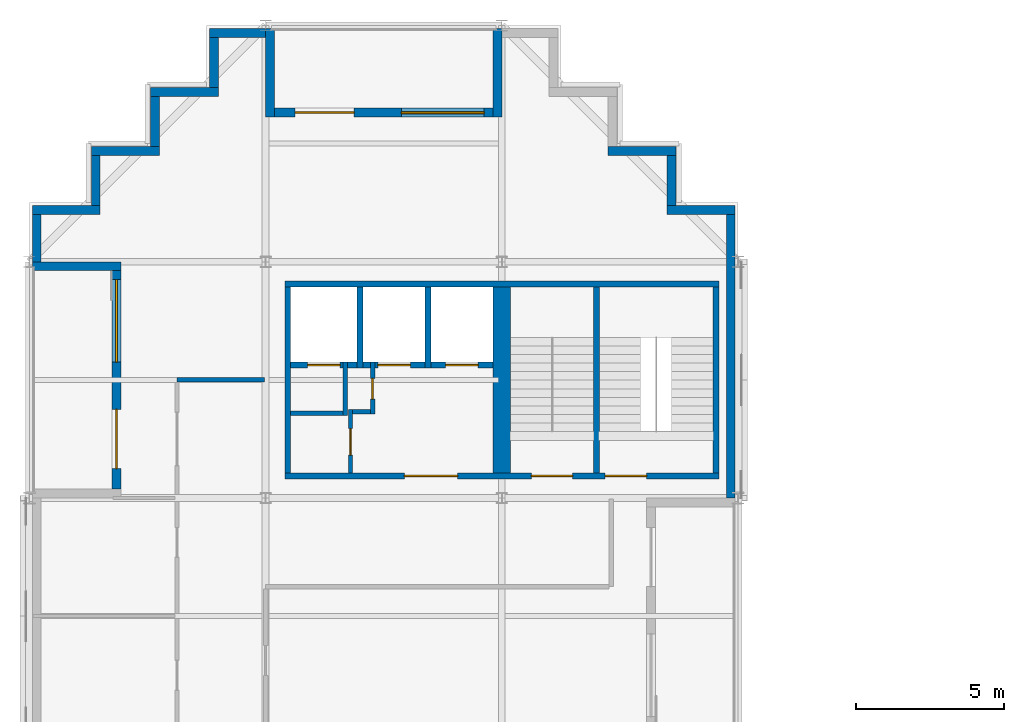
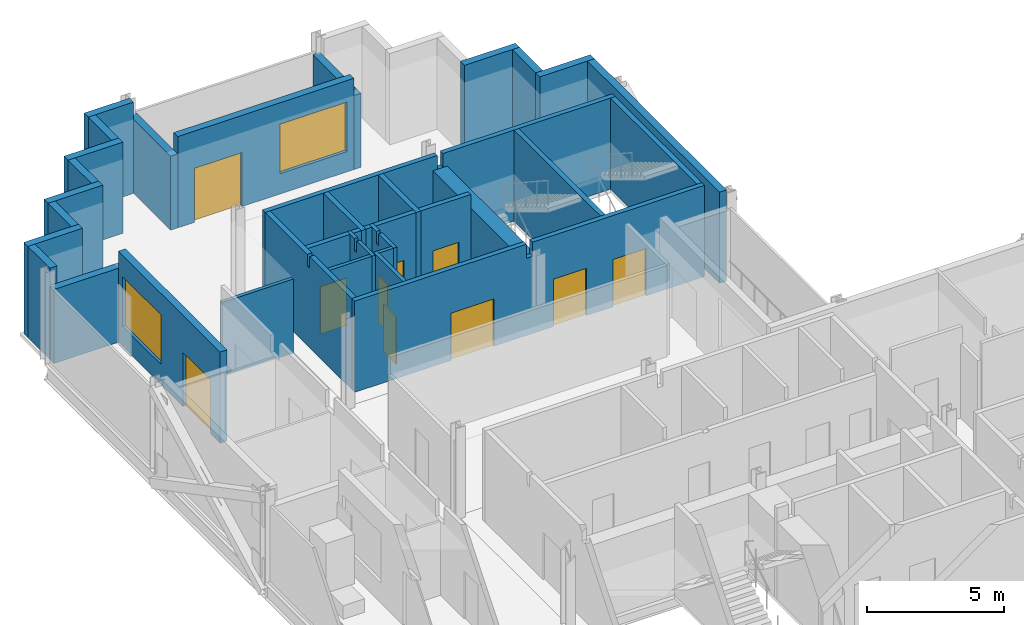
# One storey, part 8 of 12: 36 walls, 10 doors, 2 windows, 12 openings.
"""IFC4 building model written with IfcOpenShell, lengths in metres."""

from ifc_helpers import new_model, si_unit, direction, frame, frame_2d, origin, place, context, subcontext, project, spatial, polyline, rectangle, outline, extrude, material, layer, layer_set, type_object, element, fill, save


model = new_model("IFC4")

# Units and contexts
model_context = context("Model", 3, precision=1e-05, world=origin(), true_north=direction((0.0, 1.0)))
body_context = subcontext(model_context, "Body", "Model", "MODEL_VIEW")
ifc_project = project(units=[si_unit("LENGTHUNIT", "METRE"), si_unit("AREAUNIT", "SQUARE_METRE"), si_unit("VOLUMEUNIT", "CUBIC_METRE"), si_unit("PLANEANGLEUNIT", "RADIAN"), si_unit("MASSUNIT", "GRAM", prefix="KILO")], contexts=[model_context])

# Site, building, storey
site_placement = place(None, origin())
site = spatial("IfcSite", under=ifc_project, at=site_placement, CompositionType="ELEMENT")
building_placement = place(site_placement, origin())
building = spatial("IfcBuilding", under=site, at=building_placement, Name="Immortelle Media Tower", CompositionType="ELEMENT")
storey_placement = place(building_placement, frame((0.0, 0.0, 136.800048828125)))
storey = spatial("IfcBuildingStorey", under=building, at=storey_placement, Name="L27", CompositionType="ELEMENT", Elevation=136.800048828125)

# Walls
ifc_material_1 = material(Name="Fire-rated gypsum board", Category="gypsum")
ifc_layer_1 = layer(ifc_material_1, 0.02490234375)
ifc_material_2 = material(Name="Steel ASTM A653 SS Gr 50 stud frame with mineral wool", Category="steel")
ifc_layer_2 = layer(ifc_material_2, 0.10009765625)
ifc_layer_3 = layer(ifc_material_1, 0.02490234375)
ifc_layer_set_1 = layer_set([ifc_layer_1, ifc_layer_2, ifc_layer_3], Name="Steel ASTM A653 SS Gr 50 stud frame with mineral wool")
wall_type_1 = type_object("IfcWallType", Name="Core partition 150", PredefinedType="PARTITIONING", material=ifc_layer_set_1)
wall_1_placement = place(storey_placement, frame((8.85009765625, 34.875, 0.0), z_axis=(0.0, 0.0, 1.0), x_axis=(1.0, 0.0, 0.0)))
element("IfcWall", 1, at=wall_1_placement, inside=storey, type_object=wall_type_1, Name="Core partition NW", PredefinedType="PARTITIONING", context=body_context, shape_type="SweptSolid", body=[
    extrude(rectangle(XDim=1.77490234375, YDim=0.14990234375, at=frame_2d((0.887451171875, 0.0))), origin(), (0.0, 0.0, 1.0), 4.050048828125),
])
wall_2_placement = place(storey_placement, frame((10.699951171875, 34.800048828125, 0.0), z_axis=(0.0, 0.0, 1.0), x_axis=(0.0, 1.0, 0.0)))
element("IfcWall", 2, at=wall_2_placement, inside=storey, type_object=wall_type_1, Name="Core partition NW", PredefinedType="PARTITIONING", context=body_context, shape_type="SweptSolid", body=[
    extrude(outline(polyline([(0.0, 0.0), (1.800048828125, 0.0), (1.800048828125, 4.050048828125), (1.28759765625, 4.050048828125), (1.28662109375, 3.51806640625), (1.113525390625, 3.51806640625), (1.112548828125, 4.050048828125), (0.0, 4.050048828125), (0.0, 0.0)])), frame((0.0, 0.074951171875, 0.0), z_axis=(0.0, -1.0, 0.0), x_axis=(1.0, 0.0, 0.0)), (0.0, 0.0, 1.0), 0.14990234375),
])

# Wall, opening, door
wall_3_placement = place(storey_placement, frame((10.875, 32.85009765625, 0.0), z_axis=(0.0, 0.0, 1.0), x_axis=(0.0, 1.0, 0.0)))
wall_3 = element("IfcWall", 3, at=wall_3_placement, inside=storey, type_object=wall_type_1, Name="Core partition NW", PredefinedType="PARTITIONING", context=body_context, shape_type="SweptSolid", body=[
    extrude(rectangle(XDim=2.14990234375, YDim=0.14990234375, at=frame_2d((1.074951171875, 0.0))), origin(), (0.0, 0.0, 1.0), 4.050048828125),
])
opening_1_placement = place(wall_3_placement, frame((0.60009765625, 0.0, 0.0)))
opening_1 = element("IfcOpeningElement", 4, at=opening_1_placement, cuts=wall_3, Name="Opening C2-K023", PredefinedType="OPENING", context=body_context, shape_type="SweptSolid", body=[
    extrude(rectangle(XDim=0.89990234375, YDim=2.10009765625, at=frame_2d((0.449951171875, 1.050048828125))), frame((0.0, 0.0849609375, 0.0), z_axis=(0.0, -1.0, 0.0), x_axis=(1.0, 0.0, 0.0)), (0.0, 0.0, 1.0), 0.169921875),
])
ifc_material_3 = material(Name="Galvanised steel door leaf and frame ASTM A653", Category="steel")
door_type_1 = type_object("IfcDoorType", Name="Service door 900 x 2100", OperationType="NOTDEFINED", PredefinedType="NOTDEFINED", material=ifc_material_3)
door_1_placement = place(opening_1_placement, origin())
door_1 = element("IfcDoor", 5, at=door_1_placement, inside=storey, type_object=door_type_1, Name="Service C2-K023", OperationType="SINGLE_SWING_RIGHT", OverallHeight=2.10009765625, OverallWidth=0.89990234375, PredefinedType="NOTDEFINED", context=body_context, shape_type="SweptSolid", body=[
    extrude(rectangle(XDim=0.89990234375, YDim=2.10009765625, at=frame_2d((0.449951171875, 1.050048828125))), frame((0.0, 0.02490234375, 0.0), z_axis=(0.0, -1.0, 0.0), x_axis=(1.0, 0.0, 0.0)), (0.0, 0.0, 1.0), 0.050048828125),
])
fill(opening_1, door_1)

# Wall
wall_4_placement = place(storey_placement, frame((10.949951171875, 34.925048828125, 0.0), z_axis=(0.0, 0.0, 1.0), x_axis=(1.0, 0.0, 0.0)))
element("IfcWall", 6, at=wall_4_placement, inside=storey, type_object=wall_type_1, Name="Core partition NW", PredefinedType="PARTITIONING", context=body_context, shape_type="SweptSolid", body=[
    extrude(rectangle(XDim=0.60009765625, YDim=0.14990234375, at=frame_2d((0.300048828125, 0.0))), origin(), (0.0, 0.0, 1.0), 4.050048828125),
])

# Wall, opening, door
wall_5_placement = place(storey_placement, frame((11.625, 34.85009765625, 0.0), z_axis=(0.0, 0.0, 1.0), x_axis=(0.0, 1.0, 0.0)))
wall_5 = element("IfcWall", 7, at=wall_5_placement, inside=storey, type_object=wall_type_1, Name="Core partition NW", PredefinedType="PARTITIONING", context=body_context, shape_type="SweptSolid", body=[
    extrude(outline(polyline([(0.0, 0.0), (1.75, 0.0), (1.75, 4.050048828125), (1.237548828125, 4.050048828125), (1.236572265625, 3.51806640625), (1.0634765625, 3.51806640625), (1.0625, 4.050048828125), (0.0, 4.050048828125), (0.0, 0.0)])), frame((0.0, 0.074951171875, 0.0), z_axis=(0.0, -1.0, 0.0), x_axis=(1.0, 0.0, 0.0)), (0.0, 0.0, 1.0), 0.14990234375),
])
opening_2_placement = place(wall_5_placement, frame((0.5, 0.0, 0.0)))
opening_2 = element("IfcOpeningElement", 8, at=opening_2_placement, cuts=wall_5, Name="Opening C2-K024", PredefinedType="OPENING", context=body_context, shape_type="SweptSolid", body=[
    extrude(rectangle(XDim=0.699951171875, YDim=2.10009765625, at=frame_2d((0.35009765625, 1.050048828125))), frame((0.0, 0.0849609375, 0.0), z_axis=(0.0, -1.0, 0.0), x_axis=(1.0, 0.0, 0.0)), (0.0, 0.0, 1.0), 0.169921875),
])
door_type_2 = type_object("IfcDoorType", Name="Service door 700 x 2100", OperationType="NOTDEFINED", PredefinedType="NOTDEFINED", material=ifc_material_3)
door_2_placement = place(opening_2_placement, origin())
door_2 = element("IfcDoor", 9, at=door_2_placement, inside=storey, type_object=door_type_2, Name="Service C2-K024", OperationType="SINGLE_SWING_RIGHT", OverallHeight=2.10009765625, OverallWidth=0.699951171875, PredefinedType="NOTDEFINED", context=body_context, shape_type="SweptSolid", body=[
    extrude(rectangle(XDim=0.699951171875, YDim=2.10009765625, at=frame_2d((0.35009765625, 1.050048828125))), frame((0.0, 0.02490234375, 0.0), z_axis=(0.0, -1.0, 0.0), x_axis=(1.0, 0.0, 0.0)), (0.0, 0.0, 1.0), 0.050048828125),
])
fill(opening_2, door_2)

# Wall
ifc_layer_4 = layer(ifc_material_1, 0.03759765625)
ifc_layer_5 = layer(ifc_material_2, 0.125)
ifc_layer_6 = layer(ifc_material_1, 0.03759765625)
ifc_layer_set_2 = layer_set([ifc_layer_4, ifc_layer_5, ifc_layer_6], Name="Steel ASTM A653 SS Gr 50 stud frame with mineral wool")
wall_type_2 = type_object("IfcWallType", Name="Core shaft wall 200", PredefinedType="PARTITIONING", material=ifc_layer_set_2)
wall_6_placement = place(storey_placement, frame((8.75, 32.85009765625, 0.0), z_axis=(0.0, 0.0, 1.0), x_axis=(0.0, 1.0, 0.0)))
element("IfcWall", 10, at=wall_6_placement, inside=storey, type_object=wall_type_2, Name="Core shaft wall NW", PredefinedType="PARTITIONING", context=body_context, shape_type="SweptSolid", body=[
    extrude(outline(polyline([(0.0, 0.0), (6.2998046875, 0.0), (6.300048828125, 4.050048828125), (3.237548828125, 4.050048828125), (3.236572265625, 3.51806640625), (3.0634765625, 3.51806640625), (3.0625, 4.050048828125), (0.0, 4.050048828125), (0.0, 0.0)])), frame((0.0, 0.10009765625, 0.0), z_axis=(0.0, -1.0, 0.0), x_axis=(1.0, 0.0, 0.0)), (0.0, 0.0, 1.0), 0.199951171875),
])

# Wall, opening, door
wall_7_placement = place(storey_placement, frame((8.85009765625, 36.5, 0.0), z_axis=(0.0, 0.0, 1.0), x_axis=(1.0, 0.0, 0.0)))
wall_7 = element("IfcWall", 11, at=wall_7_placement, inside=storey, type_object=wall_type_2, Name="Core shaft wall NW", PredefinedType="PARTITIONING", context=body_context, shape_type="SweptSolid", body=[
    extrude(rectangle(XDim=1.77490234375, YDim=0.199951171875, at=frame_2d((0.887451171875, 0.0))), origin(), (0.0, 0.0, 1.0), 4.050048828125),
])
opening_3_placement = place(wall_7_placement, frame((0.574951171875, 0.0, 0.0)))
opening_3 = element("IfcOpeningElement", 12, at=opening_3_placement, cuts=wall_7, Name="Opening LD", PredefinedType="OPENING", context=body_context, shape_type="SweptSolid", body=[
    extrude(rectangle(XDim=1.10009765625, YDim=2.10009765625, at=frame_2d((0.550048828125, 1.050048828125))), frame((0.0, 0.10986328125, 0.0), z_axis=(0.0, -1.0, 0.0), x_axis=(1.0, 0.0, 0.0)), (0.0, 0.0, 1.0), 0.219970703125),
])
ifc_material_4 = material(Name="Stainless steel AISI 304", Category="steel")
door_type_3 = type_object("IfcDoorType", Name="Landing door 1100 x 2100", OperationType="SLIDING_TO_LEFT", PredefinedType="NOTDEFINED", material=ifc_material_4)
door_3_placement = place(opening_3_placement, origin())
door_3 = element("IfcDoor", 13, at=door_3_placement, inside=storey, type_object=door_type_3, Name="Landing door MR1 L27", OperationType="SLIDING_TO_LEFT", OverallHeight=2.10009765625, OverallWidth=1.10009765625, PredefinedType="NOTDEFINED", context=body_context, shape_type="SweptSolid", body=[
    extrude(rectangle(XDim=1.10009765625, YDim=2.10009765625, at=frame_2d((0.550048828125, 1.050048828125))), frame((0.0, 0.02490234375, 0.0), z_axis=(0.0, -1.0, 0.0), x_axis=(1.0, 0.0, 0.0)), (0.0, 0.0, 1.0), 0.050048828125),
])
fill(opening_3, door_3)

# Walls
wall_8_placement = place(storey_placement, frame((10.77490234375, 36.5, 0.0), z_axis=(0.0, 0.0, 1.0), x_axis=(1.0, 0.0, 0.0)))
element("IfcWall", 14, at=wall_8_placement, inside=storey, type_object=wall_type_2, Name="Core shaft wall NW", PredefinedType="PARTITIONING", context=body_context, shape_type="SweptSolid", body=[
    extrude(rectangle(XDim=0.3251953125, YDim=0.199951171875, at=frame_2d((0.16259765625, 0.0))), origin(), (0.0, 0.0, 1.0), 4.050048828125),
])
wall_9_placement = place(storey_placement, frame((11.199951171875, 36.39990234375, 0.0), z_axis=(0.0, 0.0, 1.0), x_axis=(0.0, 1.0, 0.0)))
element("IfcWall", 15, at=wall_9_placement, inside=storey, type_object=wall_type_2, Name="Core shaft wall NW", PredefinedType="PARTITIONING", context=body_context, shape_type="SweptSolid", body=[
    extrude(rectangle(XDim=2.75, YDim=0.199951171875, at=frame_2d((1.375, 0.0))), origin(), (0.0, 0.0, 1.0), 4.050048828125),
])
wall_10_placement = place(storey_placement, frame((11.300048828125, 36.5, 0.0), z_axis=(0.0, 0.0, 1.0), x_axis=(1.0, 0.0, 0.0)))
element("IfcWall", 16, at=wall_10_placement, inside=storey, type_object=wall_type_2, Name="Core shaft wall NW", PredefinedType="PARTITIONING", context=body_context, shape_type="SweptSolid", body=[
    extrude(rectangle(XDim=0.25, YDim=0.199951171875, at=frame_2d((0.125, 0.0))), origin(), (0.0, 0.0, 1.0), 4.050048828125),
])

# Wall, opening, door
wall_11_placement = place(storey_placement, frame((11.699951171875, 36.5, 0.0), z_axis=(0.0, 0.0, 1.0), x_axis=(1.0, 0.0, 0.0)))
wall_11 = element("IfcWall", 17, at=wall_11_placement, inside=storey, type_object=wall_type_2, Name="Core shaft wall NW", PredefinedType="PARTITIONING", context=body_context, shape_type="SweptSolid", body=[
    extrude(rectangle(XDim=1.699951171875, YDim=0.199951171875, at=frame_2d((0.85009765625, 0.0))), origin(), (0.0, 0.0, 1.0), 4.050048828125),
])
opening_4_placement = place(wall_11_placement, frame((0.10009765625, 0.0, 0.0)))
opening_4 = element("IfcOpeningElement", 18, at=opening_4_placement, cuts=wall_11, Name="Opening LD", PredefinedType="OPENING", context=body_context, shape_type="SweptSolid", body=[
    extrude(rectangle(XDim=1.10009765625, YDim=2.10009765625, at=frame_2d((0.550048828125, 1.050048828125))), frame((0.0, 0.10986328125, 0.0), z_axis=(0.0, -1.0, 0.0), x_axis=(1.0, 0.0, 0.0)), (0.0, 0.0, 1.0), 0.219970703125),
])
door_4_placement = place(opening_4_placement, origin())
door_4 = element("IfcDoor", 19, at=door_4_placement, inside=storey, type_object=door_type_3, Name="Landing door MR2 L27", OperationType="SLIDING_TO_LEFT", OverallHeight=2.10009765625, OverallWidth=1.10009765625, PredefinedType="NOTDEFINED", context=body_context, shape_type="SweptSolid", body=[
    extrude(rectangle(XDim=1.10009765625, YDim=2.10009765625, at=frame_2d((0.550048828125, 1.050048828125))), frame((0.0, 0.02490234375, 0.0), z_axis=(0.0, -1.0, 0.0), x_axis=(1.0, 0.0, 0.0)), (0.0, 0.0, 1.0), 0.050048828125),
])
fill(opening_4, door_4)

# Wall
wall_12_placement = place(storey_placement, frame((13.5, 36.39990234375, 0.0), z_axis=(0.0, 0.0, 1.0), x_axis=(0.0, 1.0, 0.0)))
element("IfcWall", 20, at=wall_12_placement, inside=storey, type_object=wall_type_2, Name="Core shaft wall NW", PredefinedType="PARTITIONING", context=body_context, shape_type="SweptSolid", body=[
    extrude(rectangle(XDim=2.75, YDim=0.199951171875, at=frame_2d((1.375, 0.0))), origin(), (0.0, 0.0, 1.0), 4.050048828125),
])

# Wall, opening, door
wall_13_placement = place(storey_placement, frame((13.60009765625, 36.5, 0.0), z_axis=(0.0, 0.0, 1.0), x_axis=(1.0, 0.0, 0.0)))
wall_13 = element("IfcWall", 21, at=wall_13_placement, inside=storey, type_object=wall_type_2, Name="Core shaft wall NW", PredefinedType="PARTITIONING", context=body_context, shape_type="SweptSolid", body=[
    extrude(rectangle(XDim=2.099853515625, YDim=0.199951171875, at=frame_2d((1.0498046875, 0.0))), origin(), (0.0, 0.0, 1.0), 4.050048828125),
])
opening_5_placement = place(wall_13_placement, frame((0.5, 0.0, 0.0)))
opening_5 = element("IfcOpeningElement", 22, at=opening_5_placement, cuts=wall_13, Name="Opening LD", PredefinedType="OPENING", context=body_context, shape_type="SweptSolid", body=[
    extrude(rectangle(XDim=1.10009765625, YDim=2.10009765625, at=frame_2d((0.550048828125, 1.050048828125))), frame((0.0, 0.10986328125, 0.0), z_axis=(0.0, -1.0, 0.0), x_axis=(1.0, 0.0, 0.0)), (0.0, 0.0, 1.0), 0.219970703125),
])
door_5_placement = place(opening_5_placement, origin())
door_5 = element("IfcDoor", 23, at=door_5_placement, inside=storey, type_object=door_type_3, Name="Landing door MR3 L27", OperationType="SLIDING_TO_LEFT", OverallHeight=2.10009765625, OverallWidth=1.10009765625, PredefinedType="NOTDEFINED", context=body_context, shape_type="SweptSolid", body=[
    extrude(rectangle(XDim=1.10009765625, YDim=2.10009765625, at=frame_2d((0.550048828125, 1.050048828125))), frame((0.0, 0.02490234375, 0.0), z_axis=(0.0, -1.0, 0.0), x_axis=(1.0, 0.0, 0.0)), (0.0, 0.0, 1.0), 0.050048828125),
])
fill(opening_5, door_5)

# Walls
ifc_layer_7 = layer(ifc_material_1, 0.012451171875)
ifc_layer_8 = layer(ifc_material_2, 0.125)
ifc_layer_9 = layer(ifc_material_1, 0.012451171875)
ifc_layer_set_3 = layer_set([ifc_layer_7, ifc_layer_8, ifc_layer_9], Name="Steel ASTM A653 SS Gr 50 stud frame with mineral wool")
wall_type_3 = type_object("IfcWallType", Name="Corridor wall 150", PredefinedType="PARTITIONING", material=ifc_layer_set_3)
wall_14_placement = place(storey_placement, frame((5.0, 36.0, 0.0), z_axis=(0.0, 0.0, 1.0), x_axis=(1.0, 0.0, 0.0)))
element("IfcWall", 24, at=wall_14_placement, inside=storey, type_object=wall_type_3, Name="Partition L27-025", PredefinedType="PARTITIONING", context=body_context, shape_type="SweptSolid", body=[
    extrude(rectangle(XDim=2.969970703125, YDim=0.14990234375, at=frame_2d((1.48486328125, 0.0))), origin(), (0.0, 0.0, 1.0), 3.287841796875),
])
ifc_material_5 = material(Name="Pale aluminium cladding panel", Category="aluminium")
ifc_layer_10 = layer(ifc_material_5, 0.030029296875)
ifc_layer_11 = layer(ifc_material_2, 0.257568359375)
ifc_material_6 = material(Name="Moisture-resistant gypsum board", Category="gypsum")
ifc_layer_12 = layer(ifc_material_6, 0.012451171875)
ifc_layer_set_4 = layer_set([ifc_layer_10, ifc_layer_11, ifc_layer_12], Name="Steel ASTM A653 SS Gr 50 stud frame with mineral wool")
wall_type_4 = type_object("IfcWallType", Name="Facade wall 300", PredefinedType="SOLIDWALL", material=ifc_layer_set_4)
wall_15_placement = place(storey_placement, frame((23.75, 32.0, 0.0), z_axis=(0.0, 0.0, 1.0), x_axis=(0.0, 1.0, 0.0)))
element("IfcWall", 25, at=wall_15_placement, inside=storey, type_object=wall_type_4, Name="Facade wall L27 E21", PredefinedType="SOLIDWALL", context=body_context, shape_type="SweptSolid", body=[
    extrude(rectangle(XDim=9.60009765625, YDim=0.300048828125, at=frame_2d((4.800048828125, 0.0))), origin(), (0.0, 0.0, 1.0), 4.050048828125),
])
wall_16_placement = place(storey_placement, frame((23.89990234375, 41.75, 0.0), z_axis=(0.0, 0.0, 1.0), x_axis=(-1.0, 0.0, 0.0)))
element("IfcWall", 26, at=wall_16_placement, inside=storey, type_object=wall_type_4, Name="Facade wall L27 N22", PredefinedType="SOLIDWALL", context=body_context, shape_type="SweptSolid", body=[
    extrude(rectangle(XDim=2.2998046875, YDim=0.300048828125, at=frame_2d((1.14990234375, 0.0))), origin(), (0.0, 0.0, 1.0), 4.050048828125),
])
wall_17_placement = place(storey_placement, frame((21.75, 41.89990234375, 0.0), z_axis=(0.0, 0.0, 1.0), x_axis=(0.0, 1.0, 0.0)))
element("IfcWall", 27, at=wall_17_placement, inside=storey, type_object=wall_type_4, Name="Facade wall L27 E23", PredefinedType="SOLIDWALL", context=body_context, shape_type="SweptSolid", body=[
    extrude(rectangle(XDim=1.7001953125, YDim=0.300048828125, at=frame_2d((0.85009765625, 0.0))), origin(), (0.0, 0.0, 1.0), 4.050048828125),
])
wall_18_placement = place(storey_placement, frame((21.89990234375, 43.75, 0.0), z_axis=(0.0, 0.0, 1.0), x_axis=(-1.0, 0.0, 0.0)))
element("IfcWall", 28, at=wall_18_placement, inside=storey, type_object=wall_type_4, Name="Facade wall L27 N24", PredefinedType="SOLIDWALL", context=body_context, shape_type="SweptSolid", body=[
    extrude(rectangle(XDim=2.2998046875, YDim=0.300048828125, at=frame_2d((1.14990234375, 0.0))), origin(), (0.0, 0.0, 1.0), 4.050048828125),
])

# Wall, openings, door, window
wall_19_placement = place(storey_placement, frame((15.699951171875, 45.050048828125, 0.0), z_axis=(0.0, 0.0, 1.0), x_axis=(-1.0, 0.0, 0.0)))
wall_19 = element("IfcWall", 29, at=wall_19_placement, inside=storey, type_object=wall_type_4, Name="Loggia wall L27 N28", PredefinedType="SOLIDWALL", context=body_context, shape_type="SweptSolid", body=[
    extrude(rectangle(XDim=7.39990234375, YDim=0.300048828125, at=frame_2d((3.699951171875, 0.0))), origin(), (0.0, 0.0, 1.0), 4.050048828125),
])
opening_6_placement = place(wall_19_placement, frame((0.300048828125, 0.0, 0.89990234375)))
opening_6 = element("IfcOpeningElement", 30, at=opening_6_placement, cuts=wall_19, Name="Opening W1", PredefinedType="OPENING", context=body_context, shape_type="SweptSolid", body=[
    extrude(rectangle(XDim=2.800048828125, YDim=2.199951171875, at=frame_2d((1.39990234375, 1.10009765625))), frame((0.0, 0.159912109375, 0.0), z_axis=(0.0, -1.0, 0.0), x_axis=(1.0, 0.0, 0.0)), (0.0, 0.0, 1.0), 0.320068359375),
])
opening_7_placement = place(wall_19_placement, frame((4.699951171875, 0.0, 0.0)))
opening_7 = element("IfcOpeningElement", 31, at=opening_7_placement, cuts=wall_19, Name="Opening C2-E006", PredefinedType="OPENING", context=body_context, shape_type="SweptSolid", body=[
    extrude(rectangle(XDim=2.0, YDim=2.39990234375, at=frame_2d((1.0, 1.199951171875))), frame((0.0, 0.159912109375, 0.0), z_axis=(0.0, -1.0, 0.0), x_axis=(1.0, 0.0, 0.0)), (0.0, 0.0, 1.0), 0.320068359375),
])
ifc_material_7 = material(Name="Aluminium frame, glazed leaves", Category="aluminium")
door_type_4 = type_object("IfcDoorType", Name="Loggia door 2000 x 2400", OperationType="DOUBLE_DOOR_SINGLE_SWING", PredefinedType="DOOR", material=ifc_material_7)
door_6_placement = place(opening_7_placement, origin())
door_6 = element("IfcDoor", 32, at=door_6_placement, inside=storey, type_object=door_type_4, Name="Door C2-E006", OperationType="DOUBLE_DOOR_SINGLE_SWING", OverallHeight=2.39990234375, OverallWidth=2.0, PredefinedType="DOOR", context=body_context, shape_type="SweptSolid", body=[
    extrude(rectangle(XDim=2.0, YDim=2.39990234375, at=frame_2d((1.0, 1.199951171875))), frame((0.0, 0.02490234375, 0.0), z_axis=(0.0, -1.0, 0.0), x_axis=(1.0, 0.0, 0.0)), (0.0, 0.0, 1.0), 0.050048828125),
])
fill(opening_7, door_6)
ifc_material_8 = material(Name="Aluminium frame", Category="aluminium")
window_type = type_object("IfcWindowType", Name="Window 2800 x 2200", PartitioningType="SINGLE_PANEL", PredefinedType="WINDOW", material=ifc_material_8)
window_1_placement = place(opening_6_placement, origin())
window_1 = element("IfcWindow", 33, at=window_1_placement, inside=storey, type_object=window_type, Name="Window L27 L27-R28-B0", OverallHeight=2.199951171875, OverallWidth=2.800048828125, PartitioningType="SINGLE_PANEL", PredefinedType="WINDOW", context=body_context, shape_type="SweptSolid", body=[
    extrude(rectangle(XDim=2.800048828125, YDim=2.199951171875, at=frame_2d((1.39990234375, 1.10009765625))), frame((0.0, 0.030029296875, 0.0), z_axis=(0.0, -1.0, 0.0), x_axis=(1.0, 0.0, 0.0)), (0.0, 0.0, 1.0), 0.06005859375),
])
fill(opening_6, window_1)

# Walls
for number, where, z_axis, x_axis, name in (
    (34, (15.85009765625, 47.89990234375, 0.0), (0.0, 0.0, 1.0), (0.0, -1.0, 0.0), "Loggia cheek wall L27 N"),
    (35, (8.14990234375, 47.89990234375, 0.0), (0.0, 0.0, 1.0), (0.0, -1.0, 0.0), "Loggia cheek wall L27 N"),
):
    element("IfcWall", number, at=place(storey_placement, frame(where, z_axis=z_axis, x_axis=x_axis)), inside=storey, type_object=wall_type_4, Name=name, PredefinedType="SOLIDWALL", context=body_context, shape_type="SweptSolid", body=[
        extrude(rectangle(XDim=3.0, YDim=0.300048828125, at=frame_2d((1.5, 0.0))), origin(), (0.0, 0.0, 1.0), 3.286865234375),
    ])
wall_20_placement = place(storey_placement, frame((8.0, 47.75, 0.0), z_axis=(0.0, 0.0, 1.0), x_axis=(-1.0, 0.0, 0.0)))
element("IfcWall", 36, at=wall_20_placement, inside=storey, type_object=wall_type_4, Name="Facade wall L27 N28", PredefinedType="SOLIDWALL", context=body_context, shape_type="SweptSolid", body=[
    extrude(rectangle(XDim=1.89990234375, YDim=0.300048828125, at=frame_2d((0.949951171875, 0.0))), origin(), (0.0, 0.0, 1.0), 4.050048828125),
])
wall_21_placement = place(storey_placement, frame((6.25, 47.60009765625, 0.0), z_axis=(0.0, 0.0, 1.0), x_axis=(0.0, -1.0, 0.0)))
element("IfcWall", 37, at=wall_21_placement, inside=storey, type_object=wall_type_4, Name="Facade wall L27 W29", PredefinedType="SOLIDWALL", context=body_context, shape_type="SweptSolid", body=[
    extrude(rectangle(XDim=1.7001953125, YDim=0.300048828125, at=frame_2d((0.85009765625, 0.0))), origin(), (0.0, 0.0, 1.0), 4.050048828125),
])
wall_22_placement = place(storey_placement, frame((6.39990234375, 45.75, 0.0), z_axis=(0.0, 0.0, 1.0), x_axis=(-1.0, 0.0, 0.0)))
element("IfcWall", 38, at=wall_22_placement, inside=storey, type_object=wall_type_4, Name="Facade wall L27 N30", PredefinedType="SOLIDWALL", context=body_context, shape_type="SweptSolid", body=[
    extrude(rectangle(XDim=2.2998046875, YDim=0.300048828125, at=frame_2d((1.14990234375, 0.0))), origin(), (0.0, 0.0, 1.0), 4.050048828125),
])
wall_23_placement = place(storey_placement, frame((4.25, 45.60009765625, 0.0), z_axis=(0.0, 0.0, 1.0), x_axis=(0.0, -1.0, 0.0)))
element("IfcWall", 39, at=wall_23_placement, inside=storey, type_object=wall_type_4, Name="Facade wall L27 W31", PredefinedType="SOLIDWALL", context=body_context, shape_type="SweptSolid", body=[
    extrude(rectangle(XDim=1.7001953125, YDim=0.300048828125, at=frame_2d((0.85009765625, 0.0))), origin(), (0.0, 0.0, 1.0), 4.050048828125),
])
wall_24_placement = place(storey_placement, frame((4.39990234375, 43.75, 0.0), z_axis=(0.0, 0.0, 1.0), x_axis=(-1.0, 0.0, 0.0)))
element("IfcWall", 40, at=wall_24_placement, inside=storey, type_object=wall_type_4, Name="Facade wall L27 N32", PredefinedType="SOLIDWALL", context=body_context, shape_type="SweptSolid", body=[
    extrude(rectangle(XDim=2.2998046875, YDim=0.300048828125, at=frame_2d((1.14990234375, 0.0))), origin(), (0.0, 0.0, 1.0), 4.050048828125),
])
wall_25_placement = place(storey_placement, frame((2.25, 43.60009765625, 0.0), z_axis=(0.0, 0.0, 1.0), x_axis=(0.0, -1.0, 0.0)))
element("IfcWall", 41, at=wall_25_placement, inside=storey, type_object=wall_type_4, Name="Facade wall L27 W33", PredefinedType="SOLIDWALL", context=body_context, shape_type="SweptSolid", body=[
    extrude(rectangle(XDim=1.7001953125, YDim=0.300048828125, at=frame_2d((0.85009765625, 0.0))), origin(), (0.0, 0.0, 1.0), 4.050048828125),
])
wall_26_placement = place(storey_placement, frame((2.39990234375, 41.75, 0.0), z_axis=(0.0, 0.0, 1.0), x_axis=(-1.0, 0.0, 0.0)))
element("IfcWall", 42, at=wall_26_placement, inside=storey, type_object=wall_type_4, Name="Facade wall L27 N34", PredefinedType="SOLIDWALL", context=body_context, shape_type="SweptSolid", body=[
    extrude(rectangle(XDim=2.2998046875, YDim=0.300048828125, at=frame_2d((1.14990234375, 0.0))), origin(), (0.0, 0.0, 1.0), 4.050048828125),
])
wall_27_placement = place(storey_placement, frame((0.25, 41.60009765625, 0.0), z_axis=(0.0, 0.0, 1.0), x_axis=(0.0, -1.0, 0.0)))
element("IfcWall", 43, at=wall_27_placement, inside=storey, type_object=wall_type_4, Name="Facade wall L27 W35", PredefinedType="SOLIDWALL", context=body_context, shape_type="SweptSolid", body=[
    extrude(rectangle(XDim=1.60009765625, YDim=0.300048828125, at=frame_2d((0.800048828125, 0.0))), origin(), (0.0, 0.0, 1.0), 4.050048828125),
])

# Wall, openings, door, window
wall_28_placement = place(storey_placement, frame((2.949951171875, 39.699951171875, 0.0), z_axis=(0.0, 0.0, 1.0), x_axis=(0.0, -1.0, 0.0)))
wall_28 = element("IfcWall", 44, at=wall_28_placement, inside=storey, type_object=wall_type_4, Name="Loggia wall L27 W35", PredefinedType="SOLIDWALL", context=body_context, shape_type="SweptSolid", body=[
    extrude(rectangle(XDim=7.39990234375, YDim=0.300048828125, at=frame_2d((3.699951171875, 0.0))), origin(), (0.0, 0.0, 1.0), 4.050048828125),
])
opening_8_placement = place(wall_28_placement, frame((0.300048828125, 0.0, 0.89990234375)))
opening_8 = element("IfcOpeningElement", 45, at=opening_8_placement, cuts=wall_28, Name="Opening W1", PredefinedType="OPENING", context=body_context, shape_type="SweptSolid", body=[
    extrude(rectangle(XDim=2.800048828125, YDim=2.199951171875, at=frame_2d((1.39990234375, 1.10009765625))), frame((0.0, 0.159912109375, 0.0), z_axis=(0.0, -1.0, 0.0), x_axis=(1.0, 0.0, 0.0)), (0.0, 0.0, 1.0), 0.320068359375),
])
opening_9_placement = place(wall_28_placement, frame((4.699951171875, 0.0, 0.0)))
opening_9 = element("IfcOpeningElement", 46, at=opening_9_placement, cuts=wall_28, Name="Opening C2-E007", PredefinedType="OPENING", context=body_context, shape_type="SweptSolid", body=[
    extrude(rectangle(XDim=2.0, YDim=2.39990234375, at=frame_2d((1.0, 1.199951171875))), frame((0.0, 0.159912109375, 0.0), z_axis=(0.0, -1.0, 0.0), x_axis=(1.0, 0.0, 0.0)), (0.0, 0.0, 1.0), 0.320068359375),
])
door_7_placement = place(opening_9_placement, origin())
door_7 = element("IfcDoor", 47, at=door_7_placement, inside=storey, type_object=door_type_4, Name="Door C2-E007", OperationType="DOUBLE_DOOR_SINGLE_SWING", OverallHeight=2.39990234375, OverallWidth=2.0, PredefinedType="DOOR", context=body_context, shape_type="SweptSolid", body=[
    extrude(rectangle(XDim=2.0, YDim=2.39990234375, at=frame_2d((1.0, 1.199951171875))), frame((0.0, 0.02490234375, 0.0), z_axis=(0.0, -1.0, 0.0), x_axis=(1.0, 0.0, 0.0)), (0.0, 0.0, 1.0), 0.050048828125),
])
fill(opening_9, door_7)
window_2_placement = place(opening_8_placement, origin())
window_2 = element("IfcWindow", 48, at=window_2_placement, inside=storey, type_object=window_type, Name="Window L27 L27-R35-B0", OverallHeight=2.199951171875, OverallWidth=2.800048828125, PartitioningType="SINGLE_PANEL", PredefinedType="WINDOW", context=body_context, shape_type="SweptSolid", body=[
    extrude(rectangle(XDim=2.800048828125, YDim=2.199951171875, at=frame_2d((1.39990234375, 1.10009765625))), frame((0.0, 0.030029296875, 0.0), z_axis=(0.0, -1.0, 0.0), x_axis=(1.0, 0.0, 0.0)), (0.0, 0.0, 1.0), 0.06005859375),
])
fill(opening_8, window_2)

# Wall
wall_29_placement = place(storey_placement, frame((0.10009765625, 39.85009765625, 0.0), z_axis=(0.0, 0.0, 1.0), x_axis=(1.0, 0.0, 0.0)))
element("IfcWall", 49, at=wall_29_placement, inside=storey, type_object=wall_type_4, Name="Loggia cheek wall L27 W", PredefinedType="SOLIDWALL", context=body_context, shape_type="SweptSolid", body=[
    extrude(rectangle(XDim=3.0, YDim=0.300048828125, at=frame_2d((1.5, 0.0))), origin(), (0.0, 0.0, 1.0), 3.286865234375),
])

# Wall, openings, doors
ifc_material_9 = material(Name="Concrete C60", Category="concrete")
ifc_layer_13 = layer(ifc_material_9, 0.199951171875)
ifc_layer_set_5 = layer_set([ifc_layer_13], Name="Concrete C60")
wall_type_5 = type_object("IfcWallType", Name="Stair shaft wall 200", PredefinedType="PARTITIONING", material=ifc_layer_set_5)
wall_30_placement = place(storey_placement, frame((8.64990234375, 32.75, 0.0), z_axis=(0.0, 0.0, 1.0), x_axis=(1.0, 0.0, 0.0)))
wall_30 = element("IfcWall", 50, at=wall_30_placement, inside=storey, type_object=wall_type_5, Name="Stair shaft wall NW", PredefinedType="PARTITIONING", context=body_context, shape_type="SweptSolid", body=[
    extrude(outline(polyline([(0.0, 0.0), (14.7001953125, 0.0), (14.699951171875, 4.050048828125), (7.469482421875, 4.050048828125), (7.468505859375, 3.431884765625), (7.2314453125, 3.431884765625), (7.23046875, 4.050048828125), (0.0, 4.050048828125), (0.0, 0.0)])), frame((0.0, 0.10009765625, 0.0), z_axis=(0.0, -1.0, 0.0), x_axis=(1.0, 0.0, 0.0)), (0.0, 0.0, 1.0), 0.199951171875),
])
opening_10_placement = place(wall_30_placement, frame((4.050048828125, 0.0, 0.0)))
opening_10 = element("IfcOpeningElement", 51, at=opening_10_placement, cuts=wall_30, Name="Opening C2-K026", PredefinedType="OPENING", context=body_context, shape_type="SweptSolid", body=[
    extrude(rectangle(XDim=1.800048828125, YDim=2.10009765625, at=frame_2d((0.89990234375, 1.050048828125))), frame((0.0, 0.10986328125, 0.0), z_axis=(0.0, -1.0, 0.0), x_axis=(1.0, 0.0, 0.0)), (0.0, 0.0, 1.0), 0.219970703125),
])
opening_11_placement = place(wall_30_placement, frame((8.35009765625, 0.0, 0.0)))
opening_11 = element("IfcOpeningElement", 52, at=opening_11_placement, cuts=wall_30, Name="Opening C2-K028", PredefinedType="OPENING", context=body_context, shape_type="SweptSolid", body=[
    extrude(rectangle(XDim=1.39990234375, YDim=2.10009765625, at=frame_2d((0.699951171875, 1.050048828125))), frame((0.0, 0.10986328125, 0.0), z_axis=(0.0, -1.0, 0.0), x_axis=(1.0, 0.0, 0.0)), (0.0, 0.0, 1.0), 0.219970703125),
])
opening_12_placement = place(wall_30_placement, frame((10.85009765625, 0.0, 0.0)))
opening_12 = element("IfcOpeningElement", 53, at=opening_12_placement, cuts=wall_30, Name="Opening C2-K029", PredefinedType="OPENING", context=body_context, shape_type="SweptSolid", body=[
    extrude(rectangle(XDim=1.39990234375, YDim=2.10009765625, at=frame_2d((0.699951171875, 1.050048828125))), frame((0.0, 0.10986328125, 0.0), z_axis=(0.0, -1.0, 0.0), x_axis=(1.0, 0.0, 0.0)), (0.0, 0.0, 1.0), 0.219970703125),
])
door_type_5 = type_object("IfcDoorType", Name="Lift lobby door 1800 x 2100", OperationType="DOUBLE_DOOR_SINGLE_SWING", PredefinedType="NOTDEFINED", material=ifc_material_3)
door_8_placement = place(opening_10_placement, origin())
door_8 = element("IfcDoor", 54, at=door_8_placement, inside=storey, type_object=door_type_5, Name="Lift lobby C2-K026", OperationType="DOUBLE_DOOR_SINGLE_SWING", OverallHeight=2.10009765625, OverallWidth=1.800048828125, PredefinedType="NOTDEFINED", context=body_context, shape_type="SweptSolid", body=[
    extrude(rectangle(XDim=1.800048828125, YDim=2.10009765625, at=frame_2d((0.89990234375, 1.050048828125))), frame((0.0, 0.02490234375, 0.0), z_axis=(0.0, -1.0, 0.0), x_axis=(1.0, 0.0, 0.0)), (0.0, 0.0, 1.0), 0.050048828125),
])
fill(opening_10, door_8)
door_type_6 = type_object("IfcDoorType", Name="Stair door 1400 x 2100", OperationType="DOUBLE_DOOR_SINGLE_SWING", PredefinedType="NOTDEFINED", material=ifc_material_3)
door_9_placement = place(opening_11_placement, origin())
door_9 = element("IfcDoor", 55, at=door_9_placement, inside=storey, type_object=door_type_6, Name="Stair C2-K028", OperationType="DOUBLE_DOOR_SINGLE_SWING", OverallHeight=2.10009765625, OverallWidth=1.39990234375, PredefinedType="NOTDEFINED", context=body_context, shape_type="SweptSolid", body=[
    extrude(rectangle(XDim=1.39990234375, YDim=2.10009765625, at=frame_2d((0.699951171875, 1.050048828125))), frame((0.0, 0.02490234375, 0.0), z_axis=(0.0, -1.0, 0.0), x_axis=(1.0, 0.0, 0.0)), (0.0, 0.0, 1.0), 0.050048828125),
])
fill(opening_11, door_9)
door_10_placement = place(opening_12_placement, origin())
door_10 = element("IfcDoor", 56, at=door_10_placement, inside=storey, type_object=door_type_6, Name="Stair C2-K029", OperationType="DOUBLE_DOOR_SINGLE_SWING", OverallHeight=2.10009765625, OverallWidth=1.39990234375, PredefinedType="NOTDEFINED", context=body_context, shape_type="SweptSolid", body=[
    extrude(rectangle(XDim=1.39990234375, YDim=2.10009765625, at=frame_2d((0.699951171875, 1.050048828125))), frame((0.0, 0.02490234375, 0.0), z_axis=(0.0, -1.0, 0.0), x_axis=(1.0, 0.0, 0.0)), (0.0, 0.0, 1.0), 0.050048828125),
])
fill(opening_12, door_10)

# Walls
wall_31_placement = place(storey_placement, frame((8.64990234375, 39.25, 0.0), z_axis=(0.0, 0.0, 1.0), x_axis=(1.0, 0.0, 0.0)))
element("IfcWall", 57, at=wall_31_placement, inside=storey, type_object=wall_type_5, Name="Stair shaft wall NW", PredefinedType="PARTITIONING", context=body_context, shape_type="SweptSolid", body=[
    extrude(outline(polyline([(0.0, 0.0), (14.7001953125, 0.0), (14.699951171875, 4.050048828125), (7.469482421875, 4.050048828125), (7.468505859375, 3.431884765625), (7.2314453125, 3.431884765625), (7.23046875, 4.050048828125), (0.0, 4.050048828125), (0.0, 0.0)])), frame((0.0, 0.10009765625, 0.0), z_axis=(0.0, -1.0, 0.0), x_axis=(1.0, 0.0, 0.0)), (0.0, 0.0, 1.0), 0.199951171875),
])
for number, where, z_axis, x_axis, name in (
    (58, (19.199951171875, 32.85009765625, 0.0), (0.0, 0.0, 1.0), (0.0, 1.0, 0.0), "Stair shaft wall NW"),
    (59, (23.25, 32.85009765625, 0.0), (0.0, 0.0, 1.0), (0.0, 1.0, 0.0), "Stair shaft wall NW"),
):
    element("IfcWall", number, at=place(storey_placement, frame(where, z_axis=z_axis, x_axis=x_axis)), inside=storey, type_object=wall_type_5, Name=name, PredefinedType="PARTITIONING", context=body_context, shape_type="SweptSolid", body=[
        extrude(rectangle(XDim=6.2998046875, YDim=0.199951171875, at=frame_2d((3.14990234375, 0.0))), origin(), (0.0, 0.0, 1.0), 4.050048828125),
    ])
ifc_layer_14 = layer(ifc_material_9, 0.60009765625)
ifc_layer_set_6 = layer_set([ifc_layer_14], Name="Concrete C60")
wall_type_6 = type_object("IfcWallType", Name="Stair shaft wall 600", PredefinedType="PARTITIONING", material=ifc_layer_set_6)
wall_32_placement = place(storey_placement, frame((16.0, 32.85009765625, 0.0), z_axis=(0.0, 0.0, 1.0), x_axis=(0.0, 1.0, 0.0)))
element("IfcWall", 60, at=wall_32_placement, inside=storey, type_object=wall_type_6, Name="Stair shaft wall NW", PredefinedType="PARTITIONING", context=body_context, shape_type="SweptSolid", body=[
    extrude(rectangle(XDim=6.2998046875, YDim=0.60009765625, at=frame_2d((3.14990234375, 0.0))), origin(), (0.0, 0.0, 1.0), 3.431884765625),
])

save(model, "model.ifc")
